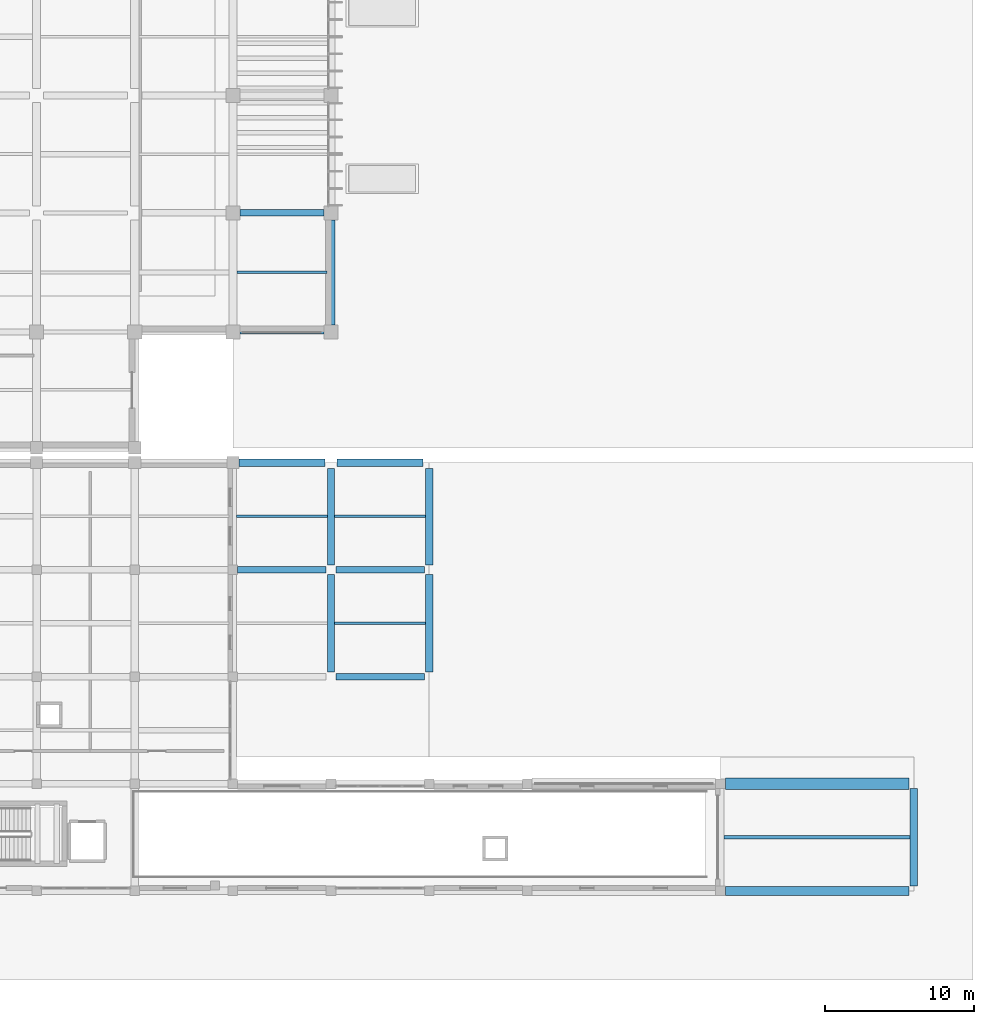
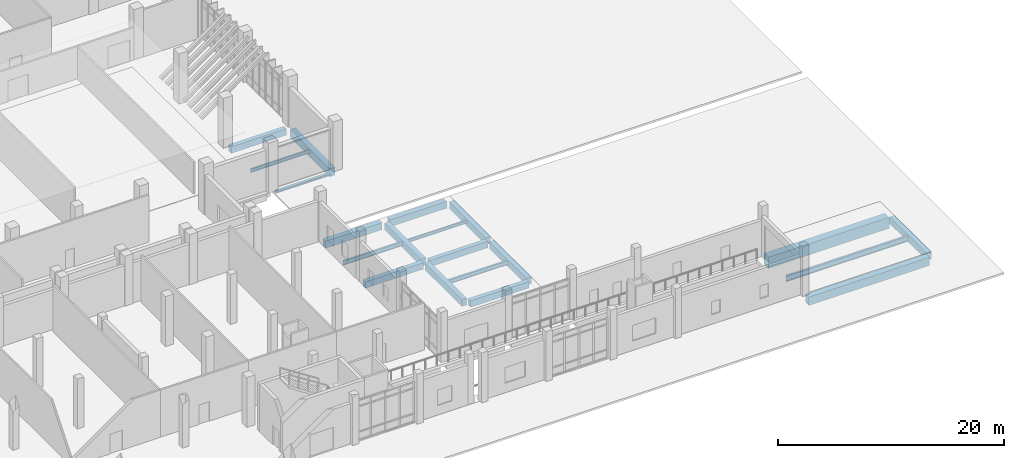
# One storey, part 36 of 79: 20 beams.
"""IFC4 building model written with IfcOpenShell, lengths in metres."""

from ifc_helpers import new_model, si_unit, direction, frame, origin, origin_2d, place, context, subcontext, project, spatial, rectangle, i_section, extrude, material, material_profile, profile_set, type_object, element, save


model = new_model("IFC4")

# Units and contexts
model_context = context("Model", 3, precision=1e-05, world=origin(), true_north=direction((0.0, 1.0)))
body_context = subcontext(model_context, "Body", "Model", "MODEL_VIEW")
ifc_project = project(units=[si_unit("LENGTHUNIT", "METRE"), si_unit("AREAUNIT", "SQUARE_METRE"), si_unit("VOLUMEUNIT", "CUBIC_METRE"), si_unit("PLANEANGLEUNIT", "RADIAN"), si_unit("MASSUNIT", "GRAM", prefix="KILO")], contexts=[model_context])

# Site, building, storey
site_placement = place(None, origin())
site = spatial("IfcSite", under=ifc_project, at=site_placement, CompositionType="ELEMENT")
building_placement = place(site_placement, origin())
building = spatial("IfcBuilding", under=site, at=building_placement, Name="Kelarvand Opera House", CompositionType="ELEMENT")
storey_placement = place(building_placement, origin())
storey = spatial("IfcBuildingStorey", under=building, at=storey_placement, Name="L00", CompositionType="ELEMENT", Elevation=0.0)

# Beams
ifc_material_1 = material(Name="Concrete C40/50", Category="concrete")
ifc_material_profile_1 = material_profile(ifc_material_1, rectangle(XDim=0.449951171875, YDim=0.699951171875, at=origin_2d()), Name="RC 450x700", Category="concrete")
ifc_profile_set_1 = profile_set([ifc_material_profile_1], Name="Concrete C40/50")
beam_type_1 = type_object("IfcBeamType", Name="Structural Beam RC 450x700 BM-RC450x700", PredefinedType="BEAM", material=ifc_profile_set_1)
beam_1_placement = place(storey_placement, frame((135.675048828125, 54.60009765625, -0.669921875), z_axis=(1.0, 0.0, 0.0), x_axis=(0.0, 1.0, 0.0)))
element("IfcBeam", 1, at=beam_1_placement, inside=storey, type_object=beam_type_1, Name="V1 L00 Beam BM-RC450x700", PredefinedType="BEAM", context=body_context, shape_type="SweptSolid", body=[
    extrude(rectangle(XDim=0.449951171875, YDim=0.699951171875, at=origin_2d()), origin(), (0.0, 0.0, 1.0), 5.64990234375),
])
beam_2_placement = place(storey_placement, frame((142.125, 23.39990234375, -0.64990234375), z_axis=(1.0, 0.0, 0.0), x_axis=(0.0, 1.0, 0.0)))
element("IfcBeam", 2, at=beam_2_placement, inside=storey, type_object=beam_type_1, Name="V6 L00 Beam BM-RC450x700", PredefinedType="BEAM", context=body_context, shape_type="SweptSolid", body=[
    extrude(rectangle(XDim=0.449951171875, YDim=0.699951171875, at=origin_2d()), origin(), (0.0, 0.0, 1.0), 5.949951171875),
])
beam_3_placement = place(storey_placement, frame((135.52490234375, 30.60009765625, -0.64990234375), z_axis=(1.0, 0.0, 0.0), x_axis=(0.0, 1.0, 0.0)))
element("IfcBeam", 3, at=beam_3_placement, inside=storey, type_object=beam_type_1, Name="V6 L00 Beam BM-RC450x700", PredefinedType="BEAM", context=body_context, shape_type="SweptSolid", body=[
    extrude(rectangle(XDim=0.449951171875, YDim=0.699951171875, at=origin_2d()), origin(), (0.0, 0.0, 1.0), 5.9501953125),
])
beam_4_placement = place(storey_placement, frame((142.125, 30.60009765625, -0.64990234375), z_axis=(1.0, 0.0, 0.0), x_axis=(0.0, 1.0, 0.0)))
element("IfcBeam", 4, at=beam_4_placement, inside=storey, type_object=beam_type_1, Name="V6 L00 Beam BM-RC450x700", PredefinedType="BEAM", context=body_context, shape_type="SweptSolid", body=[
    extrude(rectangle(XDim=0.449951171875, YDim=0.699951171875, at=origin_2d()), origin(), (0.0, 0.0, 1.0), 5.949951171875),
])
ifc_material_profile_2 = material_profile(ifc_material_1, rectangle(XDim=0.5, YDim=0.75, at=origin_2d()), Name="RC 500x750", Category="concrete")
ifc_profile_set_2 = profile_set([ifc_material_profile_2], Name="Concrete C40/50")
beam_type_2 = type_object("IfcBeamType", Name="Structural Beam RC 500x750 BM-RC500x750", PredefinedType="BEAM", material=ifc_profile_set_2)
beam_5_placement = place(storey_placement, frame((141.800048828125, 23.72509765625, -0.675048828125), z_axis=(0.0, 1.0, 0.0), x_axis=(-1.0, 0.0, 0.0)))
element("IfcBeam", 5, at=beam_5_placement, inside=storey, type_object=beam_type_2, Name="V6 L00 Beam BM-RC500x750", PredefinedType="BEAM", context=body_context, shape_type="SweptSolid", body=[
    extrude(rectangle(XDim=0.5, YDim=0.75, at=origin_2d()), origin(), (0.0, 0.0, 1.0), 6.5498046875),
])
beam_6_placement = place(storey_placement, frame((141.800048828125, 30.925048828125, -0.675048828125), z_axis=(0.0, 1.0, 0.0), x_axis=(-1.0, 0.0, 0.0)))
element("IfcBeam", 6, at=beam_6_placement, inside=storey, type_object=beam_type_2, Name="V6 L00 Beam BM-RC500x750", PredefinedType="BEAM", context=body_context, shape_type="SweptSolid", body=[
    extrude(rectangle(XDim=0.5, YDim=0.75, at=origin_2d()), origin(), (0.0, 0.0, 1.0), 6.46484375),
])
beam_7_placement = place(storey_placement, frame((148.39990234375, 23.72509765625, -0.675048828125), z_axis=(0.0, 1.0, 0.0), x_axis=(-1.0, 0.0, 0.0)))
element("IfcBeam", 7, at=beam_7_placement, inside=storey, type_object=beam_type_2, Name="V6 L00 Beam BM-RC500x750", PredefinedType="BEAM", context=body_context, shape_type="SweptSolid", body=[
    extrude(rectangle(XDim=0.5, YDim=0.75, at=origin_2d()), origin(), (0.0, 0.0, 1.0), 6.5498046875),
])
beam_8_placement = place(storey_placement, frame((148.39990234375, 30.925048828125, -0.675048828125), z_axis=(0.0, 1.0, 0.0), x_axis=(-1.0, 0.0, 0.0)))
element("IfcBeam", 8, at=beam_8_placement, inside=storey, type_object=beam_type_2, Name="V6 L00 Beam BM-RC500x750", PredefinedType="BEAM", context=body_context, shape_type="SweptSolid", body=[
    extrude(rectangle(XDim=0.5, YDim=0.75, at=origin_2d()), origin(), (0.0, 0.0, 1.0), 6.46484375),
])
ifc_material_profile_3 = material_profile(ifc_material_1, rectangle(XDim=0.550048828125, YDim=0.85009765625, at=origin_2d()), Name="RC 550x850", Category="concrete")
ifc_profile_set_3 = profile_set([ifc_material_profile_3], Name="Concrete C40/50")
beam_type_3 = type_object("IfcBeamType", Name="Structural Beam RC 550x850 BM-RC550x850", PredefinedType="BEAM", material=ifc_profile_set_3)
beam_9_placement = place(storey_placement, frame((141.800048828125, 47.074951171875, -0.7451171875), z_axis=(0.0, 1.0, 0.0), x_axis=(-1.0, 0.0, 0.0)))
element("IfcBeam", 9, at=beam_9_placement, inside=storey, type_object=beam_type_3, Name="V1 L00 Beam BM-RC550x850", PredefinedType="BEAM", context=body_context, shape_type="SweptSolid", body=[
    extrude(rectangle(XDim=0.550048828125, YDim=0.85009765625, at=origin_2d()), origin(), (0.0, 0.0, 1.0), 7.050048828125),
])
ifc_material_profile_4 = material_profile(ifc_material_1, rectangle(XDim=0.75, YDim=1.199951171875, at=origin_2d()), Name="RC 750x1200", Category="concrete")
ifc_profile_set_4 = profile_set([ifc_material_profile_4], Name="Concrete C40/50")
beam_type_4 = type_object("IfcBeamType", Name="Structural Beam RC 750x1200 BM-RC750x1200", PredefinedType="BEAM", material=ifc_profile_set_4)
beam_10_placement = place(storey_placement, frame((168.324951171875, 16.199951171875, -0.89990234375), z_axis=(1.0, 0.0, 0.0), x_axis=(0.0, 1.0, 0.0)))
element("IfcBeam", 10, at=beam_10_placement, inside=storey, type_object=beam_type_4, Name="V6 L00 Beam BM-RC750x1200", PredefinedType="BEAM", context=body_context, shape_type="SweptSolid", body=[
    extrude(rectangle(XDim=0.75, YDim=1.199951171875, at=origin_2d()), origin(), (0.0, 0.0, 1.0), 12.35009765625),
])
ifc_material_2 = material(Name="Steel S355", Category="steel")
ifc_material_profile_5 = material_profile(ifc_material_2, i_section(OverallWidth=0.159912109375, OverallDepth=0.330078125, WebThickness=0.007568359375, FlangeThickness=0.011474609375, at=origin_2d()), Name="IPE 330", Category="steel")
ifc_profile_set_5 = profile_set([ifc_material_profile_5], Name="Steel S355")
beam_type_5 = type_object("IfcBeamType", Name="Structural Joist IPE 330 JS-IPE330", PredefinedType="JOIST", material=ifc_profile_set_5)
beam_11_placement = place(storey_placement, frame((142.050048828125, 34.199951171875, -0.465087890625), z_axis=(1.0, 0.0, 0.0), x_axis=(0.0, 1.0, 0.0)))
element("IfcBeam", 11, at=beam_11_placement, inside=storey, type_object=beam_type_5, Name="V6 L00 Beam JS-IPE330", PredefinedType="JOIST", context=body_context, shape_type="SweptSolid", body=[
    extrude(i_section(OverallWidth=0.159912109375, OverallDepth=0.330078125, WebThickness=0.007568359375, FlangeThickness=0.011474609375, at=origin_2d()), origin(), (0.0, 0.0, 1.0), 6.099853515625),
])
ifc_material_profile_6 = material_profile(ifc_material_2, i_section(OverallWidth=0.169921875, OverallDepth=0.360107421875, WebThickness=0.008056640625, FlangeThickness=0.0126953125, at=origin_2d()), Name="IPE 360", Category="steel")
ifc_profile_set_6 = profile_set([ifc_material_profile_6], Name="Steel S355")
beam_type_6 = type_object("IfcBeamType", Name="Structural Joist IPE 360 JS-IPE360", PredefinedType="JOIST", material=ifc_profile_set_6)
beam_12_placement = place(storey_placement, frame((135.47509765625, 50.60009765625, -0.5), z_axis=(1.0, 0.0, 0.0), x_axis=(0.0, 1.0, 0.0)))
element("IfcBeam", 12, at=beam_12_placement, inside=storey, type_object=beam_type_6, Name="V1 L00 Beam JS-IPE360", PredefinedType="JOIST", context=body_context, shape_type="SweptSolid", body=[
    extrude(i_section(OverallWidth=0.169921875, OverallDepth=0.360107421875, WebThickness=0.008056640625, FlangeThickness=0.0126953125, at=origin_2d()), origin(), (0.0, 0.0, 1.0), 6.0498046875),
])
ifc_material_profile_7 = material_profile(ifc_material_2, i_section(OverallWidth=0.18994140625, OverallDepth=0.449951171875, WebThickness=0.009521484375, FlangeThickness=0.0146484375, at=origin_2d()), Name="IPE 450", Category="steel")
ifc_profile_set_7 = profile_set([ifc_material_profile_7], Name="Steel S355")
beam_type_7 = type_object("IfcBeamType", Name="Structural Joist IPE 450 JS-IPE450", PredefinedType="JOIST", material=ifc_profile_set_7)
beam_13_placement = place(storey_placement, frame((135.449951171875, 34.199951171875, -0.52490234375), z_axis=(1.0, 0.0, 0.0), x_axis=(0.0, 1.0, 0.0)))
element("IfcBeam", 13, at=beam_13_placement, inside=storey, type_object=beam_type_7, Name="V6 L00 Beam JS-IPE450", PredefinedType="JOIST", context=body_context, shape_type="SweptSolid", body=[
    extrude(i_section(OverallWidth=0.18994140625, OverallDepth=0.449951171875, WebThickness=0.009521484375, FlangeThickness=0.0146484375, at=origin_2d()), origin(), (0.0, 0.0, 1.0), 6.10009765625),
])
beam_14_placement = place(storey_placement, frame((142.050048828125, 27.0, -0.52490234375), z_axis=(1.0, 0.0, 0.0), x_axis=(0.0, 1.0, 0.0)))
element("IfcBeam", 14, at=beam_14_placement, inside=storey, type_object=beam_type_7, Name="V6 L00 Beam JS-IPE450", PredefinedType="JOIST", context=body_context, shape_type="SweptSolid", body=[
    extrude(i_section(OverallWidth=0.18994140625, OverallDepth=0.449951171875, WebThickness=0.009521484375, FlangeThickness=0.0146484375, at=origin_2d()), origin(), (0.0, 0.0, 1.0), 6.099853515625),
])
ifc_material_profile_8 = material_profile(ifc_material_2, i_section(OverallWidth=0.219970703125, OverallDepth=0.60009765625, WebThickness=0.011962890625, FlangeThickness=0.01904296875, at=origin_2d()), Name="IPE 600", Category="steel")
ifc_profile_set_8 = profile_set([ifc_material_profile_8], Name="Steel S355")
beam_type_8 = type_object("IfcBeamType", Name="Structural Joist IPE 600 JS-IPE600", PredefinedType="JOIST", material=ifc_profile_set_8)
beam_15_placement = place(storey_placement, frame((168.25, 12.60009765625, -0.60009765625), z_axis=(1.0, 0.0, 0.0), x_axis=(0.0, 1.0, 0.0)))
element("IfcBeam", 15, at=beam_15_placement, inside=storey, type_object=beam_type_8, Name="V6 L00 Beam JS-IPE600", PredefinedType="JOIST", context=body_context, shape_type="SweptSolid", body=[
    extrude(i_section(OverallWidth=0.219970703125, OverallDepth=0.60009765625, WebThickness=0.011962890625, FlangeThickness=0.01904296875, at=origin_2d()), origin(), (0.0, 0.0, 1.0), 12.5),
])
ifc_material_profile_9 = material_profile(ifc_material_2, i_section(OverallWidth=0.260009765625, OverallDepth=0.25, WebThickness=0.007568359375, FlangeThickness=0.012451171875, at=origin_2d()), Name="HEA 260", Category="steel")
ifc_profile_set_9 = profile_set([ifc_material_profile_9], Name="Steel S355")
beam_type_9 = type_object("IfcBeamType", Name="Structural Lintel HEA 260 LN-HEA260", PredefinedType="LINTEL", material=ifc_profile_set_9)
beam_16_placement = place(storey_placement, frame((135.675048828125, 46.60009765625, -0.445068359375), z_axis=(1.0, 0.0, 0.0), x_axis=(0.0, 1.0, 0.0)))
element("IfcBeam", 16, at=beam_16_placement, inside=storey, type_object=beam_type_9, Name="V1 L00 Beam LN-HEA260", PredefinedType="LINTEL", context=body_context, shape_type="SweptSolid", body=[
    extrude(i_section(OverallWidth=0.260009765625, OverallDepth=0.25, WebThickness=0.007568359375, FlangeThickness=0.012451171875, at=origin_2d()), origin(), (0.0, 0.0, 1.0), 5.64990234375),
])
ifc_material_profile_10 = material_profile(ifc_material_1, rectangle(XDim=0.5, YDim=0.75, at=origin_2d()), Name="RC 500x750", Category="concrete")
ifc_profile_set_10 = profile_set([ifc_material_profile_10], Name="Concrete C40/50")
beam_type_10 = type_object("IfcBeamType", Name="Structural Spandrel RC 500x750 SP-RC500x750E", PredefinedType="SPANDREL", material=ifc_profile_set_10)
beam_17_placement = place(storey_placement, frame((135.610107421875, 37.800048828125, -0.675048828125), z_axis=(1.0, 0.0, 0.0), x_axis=(0.0, 1.0, 0.0)))
element("IfcBeam", 17, at=beam_17_placement, inside=storey, type_object=beam_type_10, Name="V6 L00 Beam SP-RC500x750E", PredefinedType="SPANDREL", context=body_context, shape_type="SweptSolid", body=[
    extrude(rectangle(XDim=0.5, YDim=0.75, at=origin_2d()), origin(), (0.0, 0.0, 1.0), 5.77978515625),
])
beam_18_placement = place(storey_placement, frame((142.2099609375, 37.800048828125, -0.675048828125), z_axis=(1.0, 0.0, 0.0), x_axis=(0.0, 1.0, 0.0)))
element("IfcBeam", 18, at=beam_18_placement, inside=storey, type_object=beam_type_10, Name="V6 L00 Beam SP-RC500x750E", PredefinedType="SPANDREL", context=body_context, shape_type="SweptSolid", body=[
    extrude(rectangle(XDim=0.5, YDim=0.75, at=origin_2d()), origin(), (0.0, 0.0, 1.0), 5.780029296875),
])
beam_19_placement = place(storey_placement, frame((181.0, 9.324951171875, -0.675048828125), z_axis=(0.0, 1.0, 0.0), x_axis=(-1.0, 0.0, 0.0)))
element("IfcBeam", 19, at=beam_19_placement, inside=storey, type_object=beam_type_10, Name="V6 L00 Beam SP-RC500x750E", PredefinedType="SPANDREL", context=body_context, shape_type="SweptSolid", body=[
    extrude(rectangle(XDim=0.5, YDim=0.75, at=origin_2d()), origin(), (0.0, 0.0, 1.0), 6.550048828125),
])
ifc_material_profile_11 = material_profile(ifc_material_1, rectangle(XDim=0.60009765625, YDim=0.89990234375, at=origin_2d()), Name="RC 600x900", Category="concrete")
ifc_profile_set_11 = profile_set([ifc_material_profile_11], Name="Concrete C40/50")
beam_type_11 = type_object("IfcBeamType", Name="Structural Spandrel RC 600x900 SP-RC600x900E", PredefinedType="SPANDREL", material=ifc_profile_set_11)
beam_20_placement = place(storey_placement, frame((168.324951171875, 9.0, -0.75), z_axis=(1.0, 0.0, 0.0), x_axis=(0.0, 1.0, 0.0)))
element("IfcBeam", 20, at=beam_20_placement, inside=storey, type_object=beam_type_11, Name="V6 L00 Beam SP-RC600x900E", PredefinedType="SPANDREL", context=body_context, shape_type="SweptSolid", body=[
    extrude(rectangle(XDim=0.60009765625, YDim=0.89990234375, at=origin_2d()), origin(), (0.0, 0.0, 1.0), 12.35009765625),
])

save(model, "model.ifc")
